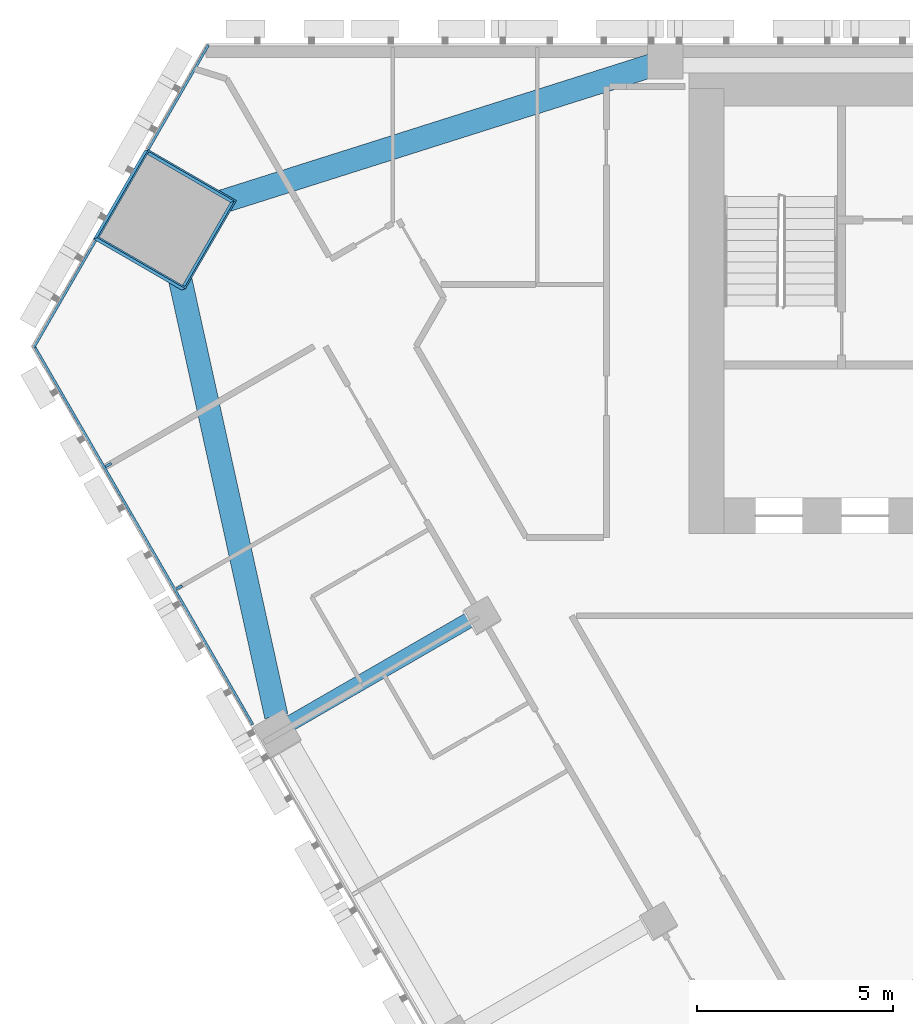
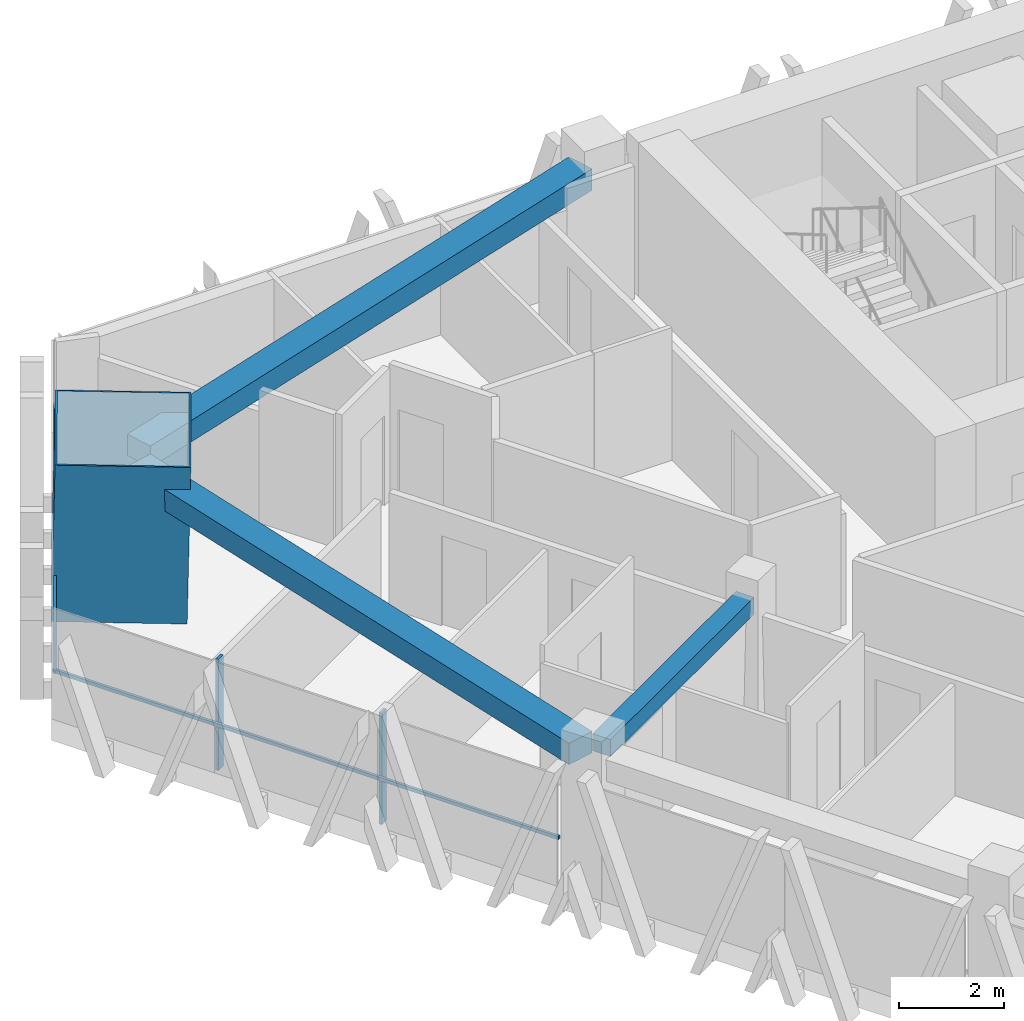
# One storey, part 5 of 16: 6 members, 3 beams, 2 elements without a shape of their own.
"""IFC4 building model written with IfcOpenShell, lengths in metres."""

from ifc_helpers import new_model, si_unit, direction, frame, origin, origin_2d, place, context, subcontext, project, spatial, rectangle, hollow_rectangle, extrude, material, layer, layer_set, material_profile, profile_set, type_object, element, aggregate, save


model = new_model("IFC4")

# Units and contexts
model_context = context("Model", 3, precision=1e-05, world=origin(), true_north=direction((0.0, 1.0)))
body_context = subcontext(model_context, "Body", "Model", "MODEL_VIEW")
ifc_project = project(units=[si_unit("LENGTHUNIT", "METRE"), si_unit("AREAUNIT", "SQUARE_METRE"), si_unit("VOLUMEUNIT", "CUBIC_METRE"), si_unit("PLANEANGLEUNIT", "RADIAN"), si_unit("MASSUNIT", "GRAM", prefix="KILO")], contexts=[model_context])

# Site, building, storey
site_placement = place(None, origin())
site = spatial("IfcSite", under=ifc_project, at=site_placement, CompositionType="ELEMENT")
building_placement = place(site_placement, origin())
building = spatial("IfcBuilding", under=site, at=building_placement, Name="Altiplano Prism Tower", CompositionType="ELEMENT")
storey_placement = place(building_placement, frame((0.0, 0.0, 77.39990234375)))
storey = spatial("IfcBuildingStorey", under=building, at=storey_placement, Name="L19", CompositionType="ELEMENT", Elevation=77.39990234375)

# Curtain wall, members
ifc_material_1 = material(Name="Aluminium and glass", Category="aluminium")
ifc_layer = layer(ifc_material_1, 0.280029296875)
ifc_layer_set = layer_set([ifc_layer], Name="Aluminium and glass")
curtain_wall_type = type_object("IfcCurtainWallType", Name="CW1 typical co-living unitised curtain wall", PredefinedType="NOTDEFINED", material=ifc_layer_set)
curtain_wall_1_placement = place(storey_placement, origin())
curtain_wall_1 = element("IfcCurtainWall", 1, at=curtain_wall_1_placement, inside=storey, type_object=curtain_wall_type, Name="CW1 curtain wall south-west face L19", PredefinedType="NOTDEFINED")
ifc_material_2 = material(Name="Aluminium", Category="aluminium")
ifc_material_profile_1 = material_profile(ifc_material_2, rectangle(XDim=0.179931640625, YDim=0.06494140625, at=origin_2d()), Name="CW1 mullion 65 x 180")
ifc_profile_set_1 = profile_set([ifc_material_profile_1], Name="Aluminium")
member_type_1 = type_object("IfcMemberType", Name="CW1 mullion 65 x 180", PredefinedType="MULLION", material=ifc_profile_set_1)
member_1_placement = place(storey_placement, frame((57.295166015625, 94.24560546875, 0.0), z_axis=(0.0, 0.0, 1.0), x_axis=(0.866025401193, 0.500000004489, 0.0)))
member_1 = element("IfcMember", 2, at=member_1_placement, type_object=member_type_1, Name="CW1 mullion", PredefinedType="MULLION", context=body_context, shape_type="SweptSolid", body=[
    extrude(rectangle(XDim=0.179931640625, YDim=0.06494140625, at=origin_2d()), origin(), (0.0, 0.0, 1.0), 2.60009765625),
])
member_2_placement = place(storey_placement, frame((59.097900390625, 91.123046875, 0.0), z_axis=(0.0, 0.0, 1.0), x_axis=(0.866025401193, 0.500000004489, 0.0)))
member_2 = element("IfcMember", 3, at=member_2_placement, type_object=member_type_1, Name="CW1 mullion", PredefinedType="MULLION", context=body_context, shape_type="SweptSolid", body=[
    extrude(rectangle(XDim=0.179931640625, YDim=0.06494140625, at=origin_2d()), origin(), (0.0, 0.0, 1.0), 2.60009765625),
])

curtain_wall_2_placement = place(storey_placement, origin())
curtain_wall_2 = element("IfcCurtainWall", 4, at=curtain_wall_2_placement, inside=storey, type_object=curtain_wall_type, Name="CW1 curtain wall north-west chamfer L19", PredefinedType="NOTDEFINED")
ifc_material_profile_2 = material_profile(ifc_material_2, rectangle(XDim=0.06005859375, YDim=0.080078125, at=origin_2d()), Name="CW1 transom 80 x 60")
ifc_profile_set_2 = profile_set([ifc_material_profile_2], Name="Aluminium")
member_type_2 = type_object("IfcMemberType", Name="CW1 transom 80 x 60", PredefinedType="USERDEFINED", material=ifc_profile_set_2)
member_3_placement = place(storey_placement, frame((59.849609375, 104.965087890625, 1.10009765625), z_axis=(-0.499973944738, -0.866040446274, 0.0), x_axis=(0.866040446274, -0.499973944738, 0.0)))
member_3 = element("IfcMember", 5, at=member_3_placement, type_object=member_type_2, Name="CW1 transom", ObjectType="TRANSOM", PredefinedType="USERDEFINED", context=body_context, shape_type="SweptSolid", body=[
    extrude(rectangle(XDim=0.06005859375, YDim=0.080078125, at=origin_2d()), origin(), (0.0, 0.0, 1.0), 3.081298828125),
])
member_4_placement = place(storey_placement, frame((56.968994140625, 99.9755859375, 1.10009765625), z_axis=(-0.500009930168, -0.866019670524, 0.0), x_axis=(0.866019670524, -0.500009930168, 0.0)))
member_4 = element("IfcMember", 6, at=member_4_placement, type_object=member_type_2, Name="CW1 transom", ObjectType="TRANSOM", PredefinedType="USERDEFINED", context=body_context, shape_type="SweptSolid", body=[
    extrude(rectangle(XDim=0.06005859375, YDim=0.080078125, at=origin_2d()), origin(), (0.0, 0.0, 1.0), 3.1611328125),
])
aggregate(curtain_wall_2, [member_3, member_4])

# Member
member_5_placement = place(storey_placement, frame((55.388427734375, 97.307861328125, 1.10009765625), z_axis=(0.500009109414, -0.866020144398, 0.0), x_axis=(0.866020144398, 0.500009109414, 0.0)))
member_5 = element("IfcMember", 7, at=member_5_placement, type_object=member_type_2, Name="CW1 transom", ObjectType="TRANSOM", PredefinedType="USERDEFINED", context=body_context, shape_type="SweptSolid", body=[
    extrude(rectangle(XDim=0.06005859375, YDim=0.080078125, at=origin_2d()), origin(), (0.0, 0.0, 1.0), 11.181396484375),
])

aggregate(curtain_wall_1, [member_1, member_2, member_5])

# Beams
ifc_material_3 = material(Name="Concrete C60/75", Category="concrete")
ifc_material_profile_3 = material_profile(ifc_material_3, rectangle(XDim=0.60009765625, YDim=0.5, at=origin_2d()), Name="Edge beam 600x500")
ifc_profile_set_3 = profile_set([ifc_material_profile_3], Name="Concrete C60/75")
beam_type_1 = type_object("IfcBeamType", Name="Edge beam 600x500", PredefinedType="SPANDREL", material=ifc_profile_set_3)
beam_1_placement = place(storey_placement, frame((71.164306640625, 104.443603515625, 2.85009765625), z_axis=(-0.953248565489, -0.302187313423, 0.0), x_axis=(0.302187313423, -0.953248565489, 0.0)))
element("IfcBeam", 8, at=beam_1_placement, inside=storey, type_object=beam_type_1, Name="Edge beam P04-M0 L20", PredefinedType="SPANDREL", context=body_context, shape_type="SweptSolid", body=[
    extrude(rectangle(XDim=0.60009765625, YDim=0.5, at=origin_2d()), origin(), (0.0, 0.0, 1.0), 12.53466796875),
])
beam_2_placement = place(storey_placement, frame((58.88330078125, 100.080322265625, 2.85009765625), z_axis=(0.214927547365, -0.976629996152, 0.0), x_axis=(0.976629996152, 0.214927547365, 0.0)))
element("IfcBeam", 9, at=beam_2_placement, inside=storey, type_object=beam_type_1, Name="Edge beam M0-P11 L20", PredefinedType="SPANDREL", context=body_context, shape_type="SweptSolid", body=[
    extrude(rectangle(XDim=0.60009765625, YDim=0.5, at=origin_2d()), origin(), (0.0, 0.0, 1.0), 12.534912109375),
])

# Member
ifc_material_4 = material(Name="Steel S460", Category="steel")
ifc_material_profile_4 = material_profile(ifc_material_4, hollow_rectangle(XDim=2.60009765625, YDim=2.60009765625, WallThickness=0.0400390625, at=origin_2d()), Name="Mega column tube 2600")
ifc_profile_set_4 = profile_set([ifc_material_profile_4], Name="Steel S460")
member_type_3 = type_object("IfcMemberType", Name="Mega column tube 2600", PredefinedType="POST", material=ifc_profile_set_4)
member_6_placement = place(storey_placement, frame((58.684326171875, 100.486572265625, 0.0), z_axis=(0.028401814599, 0.009218727412, 0.999554076572), x_axis=(-0.865122989998, 0.501162463917, 0.019959883203)))
element("IfcMember", 10, at=member_6_placement, inside=storey, type_object=member_type_3, Name="Mega column tube M0 L19", PredefinedType="POST", context=body_context, shape_type="SweptSolid", body=[
    extrude(hollow_rectangle(XDim=2.60009765625, YDim=2.60009765625, WallThickness=0.0400390625, at=origin_2d()), origin(), (0.0, 0.0, 1.0), 3.601806640625),
])

# Beam
ifc_material_profile_5 = material_profile(ifc_material_3, rectangle(XDim=0.39990234375, YDim=0.39990234375, at=origin_2d()), Name="Tie beam 400x400")
ifc_profile_set_5 = profile_set([ifc_material_profile_5], Name="Concrete C60/75")
beam_type_2 = type_object("IfcBeamType", Name="Tie beam 400x400", PredefinedType="BEAM", material=ifc_profile_set_5)
beam_3_placement = place(storey_placement, frame((66.693359375, 90.404541015625, 2.900146484375), z_axis=(-0.866023410697, -0.500003452112, 0.0), x_axis=(0.500003452112, -0.866023410697, 0.0)))
element("IfcBeam", 11, at=beam_3_placement, inside=storey, type_object=beam_type_2, Name="Tie beam I11 L20", PredefinedType="BEAM", context=body_context, shape_type="SweptSolid", body=[
    extrude(rectangle(XDim=0.39990234375, YDim=0.39990234375, at=origin_2d()), origin(), (0.0, 0.0, 1.0), 5.490234375),
])

save(model, "model.ifc")
